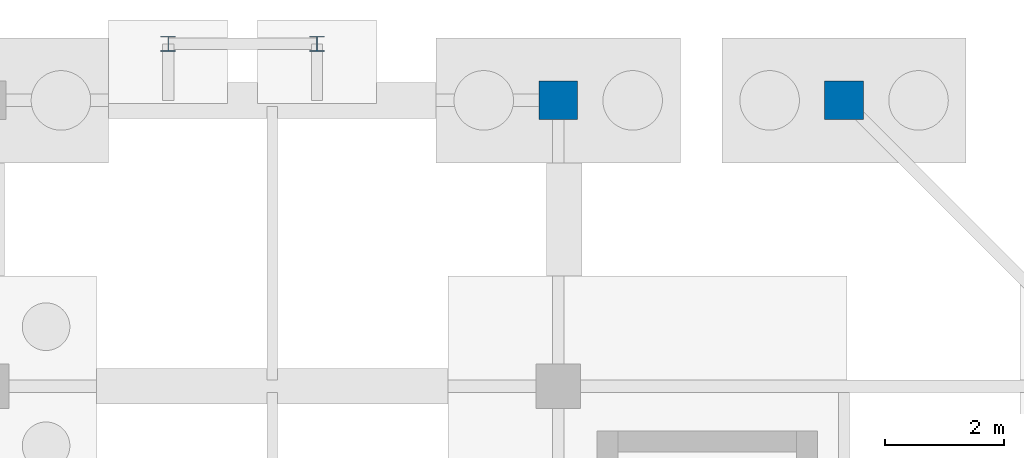
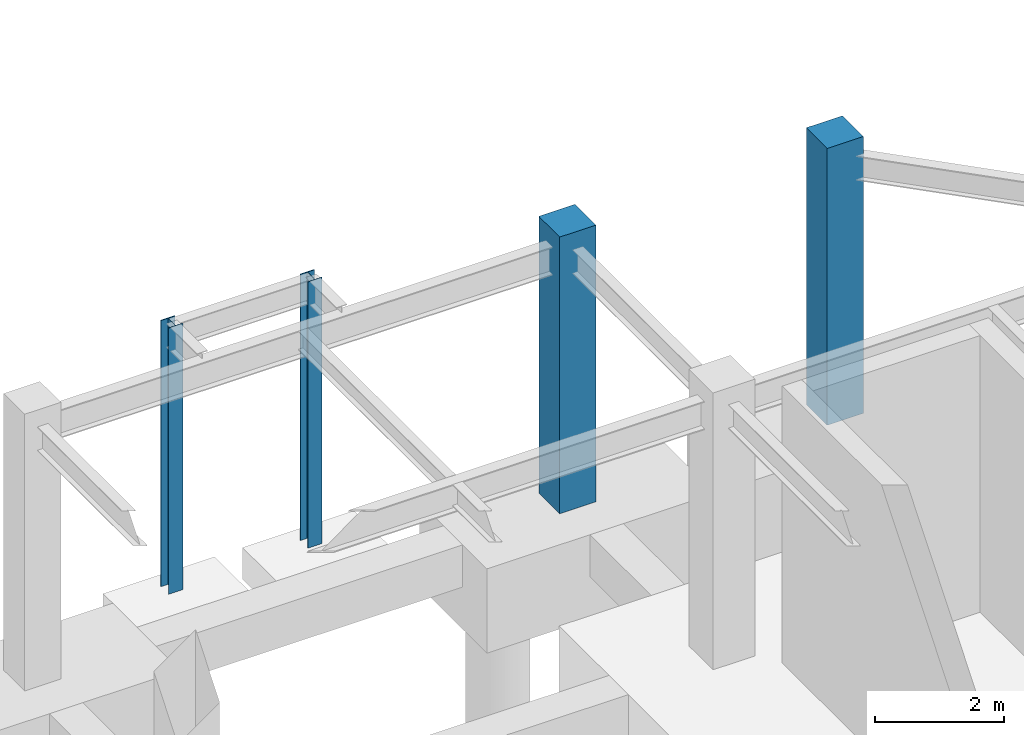
# One storey, part 23 of 55: 4 columns.
"""IFC4 building model written with IfcOpenShell, lengths in metres."""

from ifc_helpers import new_model, si_unit, direction, frame, origin, origin_2d, place, context, subcontext, project, spatial, rectangle, i_section, extrude, material, material_profile, profile_set, type_object, element, save


model = new_model("IFC4")

# Units and contexts
model_context = context("Model", 3, precision=1e-05, world=origin(), true_north=direction((0.0, 1.0)))
body_context = subcontext(model_context, "Body", "Model", "MODEL_VIEW")
ifc_project = project(units=[si_unit("LENGTHUNIT", "METRE"), si_unit("AREAUNIT", "SQUARE_METRE"), si_unit("VOLUMEUNIT", "CUBIC_METRE"), si_unit("PLANEANGLEUNIT", "RADIAN"), si_unit("MASSUNIT", "GRAM", prefix="KILO")], contexts=[model_context])

# Site, building, storey
site_placement = place(None, origin())
site = spatial("IfcSite", under=ifc_project, at=site_placement, CompositionType="ELEMENT")
building_placement = place(site_placement, origin())
building = spatial("IfcBuilding", under=site, at=building_placement, Name="Almandine Court Research Institute", CompositionType="ELEMENT")
storey_placement = place(building_placement, frame((0.0, 0.0, -5.25)))
storey = spatial("IfcBuildingStorey", under=building, at=storey_placement, Name="B1", CompositionType="ELEMENT", Elevation=-5.25)

# Columns
ifc_material_1 = material(Name="Concrete C40/50", Category="concrete")
ifc_material_profile_1 = material_profile(ifc_material_1, rectangle(XDim=0.64990234375, YDim=0.64990234375, at=origin_2d()), Name="RC 650x650")
ifc_profile_set_1 = profile_set([ifc_material_profile_1], Name="Concrete C40/50")
column_type_1 = type_object("IfcColumnType", Name="Col-C-RC2", PredefinedType="COLUMN", material=ifc_profile_set_1)
for number, where, z_axis, x_axis, name in (
    (1, (25.199951171875, 117.60009765625, 0.0), (0.0, 0.0, 1.0), (1.0, 0.0, 0.0), "B1 V3 Column V3-X3Y5"),
    (2, (30.0, 117.60009765625, 0.0), (0.0, 0.0, 1.0), (1.0, 0.0, 0.0), "B1 V3 Column V3-CH5"),
):
    element("IfcColumn", number, at=place(storey_placement, frame(where, z_axis=z_axis, x_axis=x_axis)), inside=storey, type_object=column_type_1, Name=name, PredefinedType="COLUMN", context=body_context, shape_type="SweptSolid", body=[
        extrude(rectangle(XDim=0.64990234375, YDim=0.64990234375, at=origin_2d()), origin(), (0.0, 0.0, 1.0), 5.25),
    ])
ifc_material_2 = material(Name="Steel ASTM A992 Grade 50", Category="steel")
ifc_material_profile_2 = material_profile(ifc_material_2, i_section(OverallWidth=0.25390625, OverallDepth=0.2529296875, WebThickness=0.009033203125, FlangeThickness=0.013916015625, at=origin_2d()), Name="W250x73")
ifc_profile_set_2 = profile_set([ifc_material_profile_2], Name="Steel ASTM A992 Grade 50")
column_type_2 = type_object("IfcColumnType", Name="Col-C-W10", PredefinedType="COLUMN", material=ifc_profile_set_2)
for number, where, z_axis, x_axis, name in (
    (3, (18.64990234375, 118.550048828125, 0.0), (0.0, 0.0, 1.0), (1.0, 0.0, 0.0), "B1 Exterior Threshold Support Column PAD-V3-N2-C1"),
    (4, (21.14990234375, 118.550048828125, 0.0), (0.0, 0.0, 1.0), (1.0, 0.0, 0.0), "B1 Exterior Threshold Support Column PAD-V3-N2-C2"),
):
    element("IfcColumn", number, at=place(storey_placement, frame(where, z_axis=z_axis, x_axis=x_axis)), inside=storey, type_object=column_type_2, Name=name, PredefinedType="COLUMN", context=body_context, shape_type="SweptSolid", body=[
        extrude(i_section(OverallWidth=0.25390625, OverallDepth=0.2529296875, WebThickness=0.009033203125, FlangeThickness=0.013916015625, at=origin_2d()), origin(), (0.0, 0.0, 1.0), 5.050048828125),
    ])

save(model, "model.ifc")
